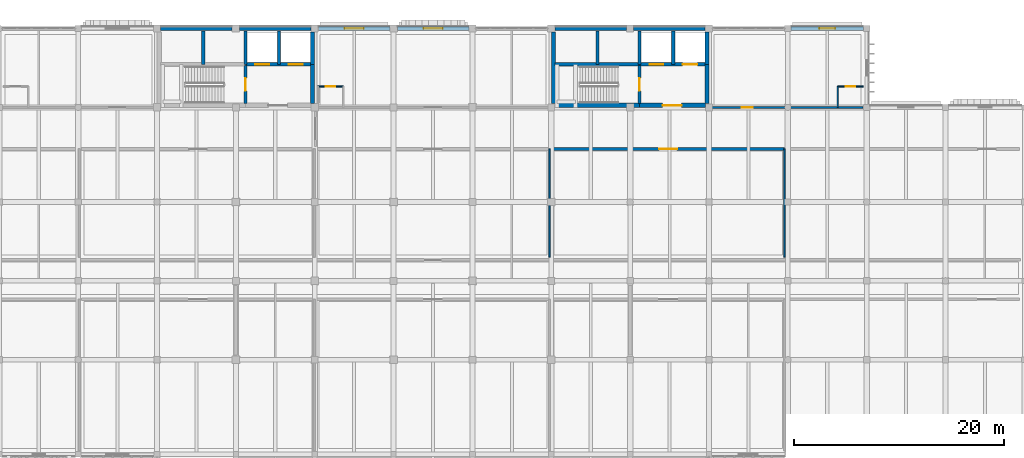
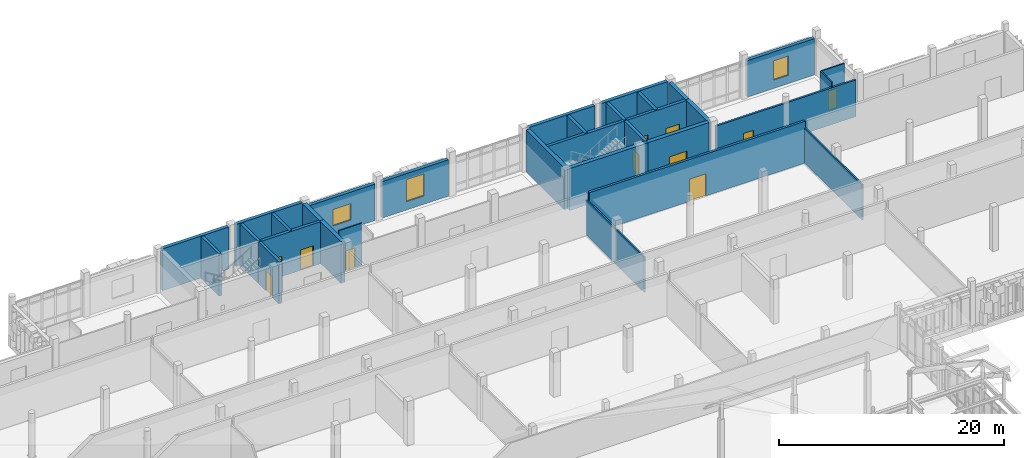
# One storey, part 106 of 131: 32 walls, 11 doors, 3 windows, 14 openings.
"""IFC4 building model written with IfcOpenShell, lengths in metres."""

from ifc_helpers import new_model, si_unit, direction, frame, frame_2d, origin, place, context, subcontext, project, spatial, rectangle, extrude, material, layer, layer_set, type_object, element, fill, save


model = new_model("IFC4")

# Units and contexts
model_context = context("Model", 3, precision=1e-05, world=origin(), true_north=direction((0.0, 1.0)))
body_context = subcontext(model_context, "Body", "Model", "MODEL_VIEW")
ifc_project = project(units=[si_unit("LENGTHUNIT", "METRE"), si_unit("AREAUNIT", "SQUARE_METRE"), si_unit("VOLUMEUNIT", "CUBIC_METRE"), si_unit("PLANEANGLEUNIT", "RADIAN"), si_unit("MASSUNIT", "GRAM", prefix="KILO")], contexts=[model_context])

# Site, building, storey
site_placement = place(None, origin())
site = spatial("IfcSite", under=ifc_project, at=site_placement, CompositionType="ELEMENT")
building_placement = place(site_placement, origin())
building = spatial("IfcBuilding", under=site, at=building_placement, Name="Dalvernix Boulevard General Hospital", CompositionType="ELEMENT")
storey_placement = place(building_placement, frame((0.0, 0.0, 9.300048828125)))
storey = spatial("IfcBuildingStorey", under=building, at=storey_placement, Name="L02", CompositionType="ELEMENT", Elevation=9.300048828125)

# Walls
ifc_material_1 = material(Name="Concrete C40/50", Category="concrete")
ifc_layer_1 = layer(ifc_material_1, 0.39990234375)
ifc_layer_set_1 = layer_set([ifc_layer_1], Name="Concrete C40/50 (WAL-CSW-01)")
wall_type_1 = type_object("IfcWallType", Name="WAL-CSW-01", PredefinedType="SHEAR", material=ifc_layer_set_1)
wall_1_placement = place(storey_placement, frame((74.800048828125, 109.85009765625, 0.0), z_axis=(0.0, 0.0, 1.0), x_axis=(0.0, 1.0, 0.0)))
element("IfcWall", 1, at=wall_1_placement, inside=storey, type_object=wall_type_1, Name="L02 C3 east lobby core wall", PredefinedType="SHEAR", context=body_context, shape_type="SweptSolid", body=[
    extrude(rectangle(XDim=3.75, YDim=0.39990234375, at=frame_2d((1.875, 0.0))), origin(), (0.0, 0.0, 1.0), 4.550048828125),
])
wall_2_placement = place(storey_placement, frame((74.800048828125, 113.60009765625, 0.0), z_axis=(0.0, 0.0, 1.0), x_axis=(0.0, 1.0, 0.0)))
element("IfcWall", 2, at=wall_2_placement, inside=storey, type_object=wall_type_1, Name="L02 C3 east shaft core wall", PredefinedType="SHEAR", context=body_context, shape_type="SweptSolid", body=[
    extrude(rectangle(XDim=3.0498046875, YDim=0.39990234375, at=frame_2d((1.52490234375, 0.0))), origin(), (0.0, 0.0, 1.0), 4.550048828125),
])
wall_3_placement = place(storey_placement, frame((97.85009765625, 109.699951171875, 0.0), z_axis=(0.0, 0.0, 1.0), x_axis=(1.0, 0.0, 0.0)))
element("IfcWall", 3, at=wall_3_placement, inside=storey, type_object=wall_type_1, Name="L02 C4 south stairwell wall", PredefinedType="SHEAR", context=body_context, shape_type="SweptSolid", body=[
    extrude(rectangle(XDim=8.0498046875, YDim=0.39990234375, at=frame_2d((4.02490234375, 0.0))), origin(), (0.0, 0.0, 1.0), 4.550048828125),
])

# Wall, opening, door
wall_4_placement = place(storey_placement, frame((105.89990234375, 109.699951171875, 0.0), z_axis=(0.0, 0.0, 1.0), x_axis=(1.0, 0.0, 0.0)))
wall_4 = element("IfcWall", 4, at=wall_4_placement, inside=storey, type_object=wall_type_1, Name="L02 C4 south firefighting lobby wall", PredefinedType="SHEAR", context=body_context, shape_type="SweptSolid", body=[
    extrude(rectangle(XDim=6.25, YDim=0.39990234375, at=frame_2d((3.125, 0.0))), origin(), (0.0, 0.0, 1.0), 4.550048828125),
])
opening_1_placement = place(wall_4_placement, frame((2.199951171875, 0.0, 0.0)))
opening_1 = element("IfcOpeningElement", 5, at=opening_1_placement, cuts=wall_4, Name="Opening FD-01", PredefinedType="OPENING", context=body_context, shape_type="SweptSolid", body=[
    extrude(rectangle(XDim=1.800048828125, YDim=2.25, at=frame_2d((0.89990234375, 1.125))), frame((0.0, 0.2099609375, 0.0), z_axis=(0.0, -1.0, 0.0), x_axis=(1.0, 0.0, 0.0)), (0.0, 0.0, 1.0), 0.419921875),
])
ifc_material_2 = material(Name="Hospital laminate acoustic timber and steel frame", Category="steel")
door_type_1 = type_object("IfcDoorType", Name="DR-FD-01", OperationType="DOUBLE_DOOR_SINGLE_SWING", PredefinedType="DOOR", material=ifc_material_2)
door_1_placement = place(opening_1_placement, origin())
door_1 = element("IfcDoor", 6, at=door_1_placement, inside=storey, type_object=door_type_1, Name="L02 C4 firefighting lobby door", OperationType="DOUBLE_DOOR_SINGLE_SWING", OverallHeight=2.25, OverallWidth=1.800048828125, PredefinedType="DOOR", context=body_context, shape_type="SweptSolid", body=[
    extrude(rectangle(XDim=1.800048828125, YDim=2.25, at=frame_2d((0.89990234375, 1.125))), frame((0.0, 0.02490234375, 0.0), z_axis=(0.0, -1.0, 0.0), x_axis=(1.0, 0.0, 0.0)), (0.0, 0.0, 1.0), 0.050048828125),
])
fill(opening_1, door_1)

# Walls
wall_5_placement = place(storey_placement, frame((97.699951171875, 109.85009765625, 0.0), z_axis=(0.0, 0.0, 1.0), x_axis=(0.0, 1.0, 0.0)))
element("IfcWall", 7, at=wall_5_placement, inside=storey, type_object=wall_type_1, Name="L02 C4 west core wall", PredefinedType="SHEAR", context=body_context, shape_type="SweptSolid", body=[
    extrude(rectangle(XDim=6.7998046875, YDim=0.39990234375, at=frame_2d((3.39990234375, 0.0))), origin(), (0.0, 0.0, 1.0), 4.550048828125),
])
wall_6_placement = place(storey_placement, frame((112.300048828125, 109.85009765625, 0.0), z_axis=(0.0, 0.0, 1.0), x_axis=(0.0, 1.0, 0.0)))
element("IfcWall", 8, at=wall_6_placement, inside=storey, type_object=wall_type_1, Name="L02 C4 east lobby core wall", PredefinedType="SHEAR", context=body_context, shape_type="SweptSolid", body=[
    extrude(rectangle(XDim=3.75, YDim=0.39990234375, at=frame_2d((1.875, 0.0))), origin(), (0.0, 0.0, 1.0), 4.550048828125),
])
wall_7_placement = place(storey_placement, frame((112.300048828125, 113.60009765625, 0.0), z_axis=(0.0, 0.0, 1.0), x_axis=(0.0, 1.0, 0.0)))
element("IfcWall", 9, at=wall_7_placement, inside=storey, type_object=wall_type_1, Name="L02 C4 east shaft core wall", PredefinedType="SHEAR", context=body_context, shape_type="SweptSolid", body=[
    extrude(rectangle(XDim=3.0498046875, YDim=0.39990234375, at=frame_2d((1.52490234375, 0.0))), origin(), (0.0, 0.0, 1.0), 4.550048828125),
])

# Wall, openings, doors
ifc_layer_2 = layer(ifc_material_1, 0.300048828125)
ifc_layer_set_2 = layer_set([ifc_layer_2], Name="Concrete C40/50 (WAL-CSW-02)")
wall_type_2 = type_object("IfcWallType", Name="WAL-CSW-02", PredefinedType="SHEAR", material=ifc_layer_set_2)
wall_8_placement = place(storey_placement, frame((68.39990234375, 113.60009765625, 0.0), z_axis=(0.0, 0.0, 1.0), x_axis=(1.0, 0.0, 0.0)))
wall_8 = element("IfcWall", 10, at=wall_8_placement, inside=storey, type_object=wall_type_2, Name="L02 C3 lift shaft front wall", PredefinedType="SHEAR", context=body_context, shape_type="SweptSolid", body=[
    extrude(rectangle(XDim=6.25, YDim=0.300048828125, at=frame_2d((3.125, 0.0))), origin(), (0.0, 0.0, 1.0), 4.550048828125),
])
opening_2_placement = place(wall_8_placement, frame((0.949951171875, 0.0, 0.0)))
opening_2 = element("IfcOpeningElement", 11, at=opening_2_placement, cuts=wall_8, Name="Opening LD-LF-01-L02", PredefinedType="OPENING", context=body_context, shape_type="SweptSolid", body=[
    extrude(rectangle(XDim=1.300048828125, YDim=2.199951171875, at=frame_2d((0.64990234375, 1.10009765625))), frame((0.0, 0.159912109375, 0.0), z_axis=(0.0, -1.0, 0.0), x_axis=(1.0, 0.0, 0.0)), (0.0, 0.0, 1.0), 0.320068359375),
])
opening_3_placement = place(wall_8_placement, frame((4.14990234375, 0.0, 0.0)))
opening_3 = element("IfcOpeningElement", 12, at=opening_3_placement, cuts=wall_8, Name="Opening LD-LF-02-L02", PredefinedType="OPENING", context=body_context, shape_type="SweptSolid", body=[
    extrude(rectangle(XDim=1.300048828125, YDim=2.199951171875, at=frame_2d((0.64990234375, 1.10009765625))), frame((0.0, 0.159912109375, 0.0), z_axis=(0.0, -1.0, 0.0), x_axis=(1.0, 0.0, 0.0)), (0.0, 0.0, 1.0), 0.320068359375),
])
ifc_material_3 = material(Name="Stainless-clad steel", Category="steel")
door_type_2 = type_object("IfcDoorType", Name="DR-LD-02", OperationType="DOUBLE_DOOR_SLIDING", PredefinedType="DOOR", material=ifc_material_3)
door_2_placement = place(opening_2_placement, origin())
door_2 = element("IfcDoor", 13, at=door_2_placement, inside=storey, type_object=door_type_2, Name="L02 Lift LF-01 sliding landing door", OperationType="DOUBLE_DOOR_SLIDING", OverallHeight=2.199951171875, OverallWidth=1.300048828125, PredefinedType="DOOR", context=body_context, shape_type="SweptSolid", body=[
    extrude(rectangle(XDim=1.300048828125, YDim=2.199951171875, at=frame_2d((0.64990234375, 1.10009765625))), frame((0.0, 0.02490234375, 0.0), z_axis=(0.0, -1.0, 0.0), x_axis=(1.0, 0.0, 0.0)), (0.0, 0.0, 1.0), 0.050048828125),
])
fill(opening_2, door_2)
door_3_placement = place(opening_3_placement, origin())
door_3 = element("IfcDoor", 14, at=door_3_placement, inside=storey, type_object=door_type_2, Name="L02 Lift LF-02 sliding landing door", OperationType="DOUBLE_DOOR_SLIDING", OverallHeight=2.199951171875, OverallWidth=1.300048828125, PredefinedType="DOOR", context=body_context, shape_type="SweptSolid", body=[
    extrude(rectangle(XDim=1.300048828125, YDim=2.199951171875, at=frame_2d((0.64990234375, 1.10009765625))), frame((0.0, 0.02490234375, 0.0), z_axis=(0.0, -1.0, 0.0), x_axis=(1.0, 0.0, 0.0)), (0.0, 0.0, 1.0), 0.050048828125),
])
fill(opening_3, door_3)

# Wall, opening, door
wall_9_placement = place(storey_placement, frame((68.39990234375, 113.5, 0.0), z_axis=(0.0, 0.0, 1.0), x_axis=(0.0, -1.0, 0.0)))
wall_9 = element("IfcWall", 15, at=wall_9_placement, inside=storey, type_object=wall_type_2, Name="L02 C3 stairwell fire wall", PredefinedType="SHEAR", context=body_context, shape_type="SweptSolid", body=[
    extrude(rectangle(XDim=3.64990234375, YDim=0.300048828125, at=frame_2d((1.824951171875, 0.0))), origin(), (0.0, 0.0, 1.0), 4.550048828125),
])
opening_4_placement = place(wall_9_placement, frame((1.219970703125, 0.0, 0.0)))
opening_4 = element("IfcOpeningElement", 16, at=opening_4_placement, cuts=wall_9, Name="Opening FD-02", PredefinedType="OPENING", context=body_context, shape_type="SweptSolid", body=[
    extrude(rectangle(XDim=1.199951171875, YDim=2.25, at=frame_2d((0.60009765625, 1.125))), frame((0.0, 0.159912109375, 0.0), z_axis=(0.0, -1.0, 0.0), x_axis=(1.0, 0.0, 0.0)), (0.0, 0.0, 1.0), 0.320068359375),
])
door_type_3 = type_object("IfcDoorType", Name="DR-FD-02", OperationType="NOTDEFINED", PredefinedType="DOOR", material=ifc_material_2)
door_4_placement = place(opening_4_placement, origin())
door_4 = element("IfcDoor", 17, at=door_4_placement, inside=storey, type_object=door_type_3, Name="L02 Stair ST-03 fire door", OperationType="SINGLE_SWING_RIGHT", OverallHeight=2.25, OverallWidth=1.199951171875, PredefinedType="DOOR", context=body_context, shape_type="SweptSolid", body=[
    extrude(rectangle(XDim=1.199951171875, YDim=2.25, at=frame_2d((0.60009765625, 1.125))), frame((0.0, 0.02490234375, 0.0), z_axis=(0.0, -1.0, 0.0), x_axis=(1.0, 0.0, 0.0)), (0.0, 0.0, 1.0), 0.050048828125),
])
fill(opening_4, door_4)

# Walls
for number, where, z_axis, x_axis, name in (
    (18, (64.39990234375, 113.60009765625, 0.0), (0.0, 0.0, 1.0), (0.0, 1.0, 0.0), "L02 C3 shaft divider R1"),
    (19, (68.39990234375, 113.60009765625, 0.0), (0.0, 0.0, 1.0), (0.0, 1.0, 0.0), "L02 C3 shaft divider R2"),
    (20, (71.60009765625, 113.60009765625, 0.0), (0.0, 0.0, 1.0), (0.0, 1.0, 0.0), "L02 C3 shaft divider L1"),
):
    element("IfcWall", number, at=place(storey_placement, frame(where, z_axis=z_axis, x_axis=x_axis)), inside=storey, type_object=wall_type_2, Name=name, PredefinedType="SHEAR", context=body_context, shape_type="SweptSolid", body=[
        extrude(rectangle(XDim=3.14990234375, YDim=0.300048828125, at=frame_2d((1.574951171875, 0.0))), origin(), (0.0, 0.0, 1.0), 4.550048828125),
    ])
wall_10_placement = place(storey_placement, frame((97.85009765625, 113.60009765625, 0.0), z_axis=(0.0, 0.0, 1.0), x_axis=(1.0, 0.0, 0.0)))
element("IfcWall", 21, at=wall_10_placement, inside=storey, type_object=wall_type_2, Name="L02 C4 riser spine wall", PredefinedType="SHEAR", context=body_context, shape_type="SweptSolid", body=[
    extrude(rectangle(XDim=8.0498046875, YDim=0.300048828125, at=frame_2d((4.02490234375, 0.0))), origin(), (0.0, 0.0, 1.0), 4.550048828125),
])

# Wall, openings, doors
wall_11_placement = place(storey_placement, frame((105.89990234375, 113.60009765625, 0.0), z_axis=(0.0, 0.0, 1.0), x_axis=(1.0, 0.0, 0.0)))
wall_11 = element("IfcWall", 22, at=wall_11_placement, inside=storey, type_object=wall_type_2, Name="L02 C4 lift shaft front wall", PredefinedType="SHEAR", context=body_context, shape_type="SweptSolid", body=[
    extrude(rectangle(XDim=6.25, YDim=0.300048828125, at=frame_2d((3.125, 0.0))), origin(), (0.0, 0.0, 1.0), 4.550048828125),
])
opening_5_placement = place(wall_11_placement, frame((0.949951171875, 0.0, 0.0)))
opening_5 = element("IfcOpeningElement", 23, at=opening_5_placement, cuts=wall_11, Name="Opening LD-LF-03-L02", PredefinedType="OPENING", context=body_context, shape_type="SweptSolid", body=[
    extrude(rectangle(XDim=1.300048828125, YDim=2.199951171875, at=frame_2d((0.64990234375, 1.10009765625))), frame((0.0, 0.159912109375, 0.0), z_axis=(0.0, -1.0, 0.0), x_axis=(1.0, 0.0, 0.0)), (0.0, 0.0, 1.0), 0.320068359375),
])
opening_6_placement = place(wall_11_placement, frame((4.10009765625, 0.0, 0.0)))
opening_6 = element("IfcOpeningElement", 24, at=opening_6_placement, cuts=wall_11, Name="Opening LD-GL-01-L02", PredefinedType="OPENING", context=body_context, shape_type="SweptSolid", body=[
    extrude(rectangle(XDim=1.39990234375, YDim=2.25, at=frame_2d((0.699951171875, 1.125))), frame((0.0, 0.159912109375, 0.0), z_axis=(0.0, -1.0, 0.0), x_axis=(1.0, 0.0, 0.0)), (0.0, 0.0, 1.0), 0.320068359375),
])
door_type_4 = type_object("IfcDoorType", Name="DR-LD-01", OperationType="DOUBLE_DOOR_SLIDING", PredefinedType="DOOR", material=ifc_material_3)
door_5_placement = place(opening_6_placement, origin())
door_5 = element("IfcDoor", 25, at=door_5_placement, inside=storey, type_object=door_type_4, Name="L02 Lift GL-01 sliding landing door", OperationType="DOUBLE_DOOR_SLIDING", OverallHeight=2.25, OverallWidth=1.39990234375, PredefinedType="DOOR", context=body_context, shape_type="SweptSolid", body=[
    extrude(rectangle(XDim=1.39990234375, YDim=2.25, at=frame_2d((0.699951171875, 1.125))), frame((0.0, 0.02490234375, 0.0), z_axis=(0.0, -1.0, 0.0), x_axis=(1.0, 0.0, 0.0)), (0.0, 0.0, 1.0), 0.050048828125),
])
fill(opening_6, door_5)
door_6_placement = place(opening_5_placement, origin())
door_6 = element("IfcDoor", 26, at=door_6_placement, inside=storey, type_object=door_type_2, Name="L02 Lift LF-03 sliding landing door", OperationType="DOUBLE_DOOR_SLIDING", OverallHeight=2.199951171875, OverallWidth=1.300048828125, PredefinedType="DOOR", context=body_context, shape_type="SweptSolid", body=[
    extrude(rectangle(XDim=1.300048828125, YDim=2.199951171875, at=frame_2d((0.64990234375, 1.10009765625))), frame((0.0, 0.02490234375, 0.0), z_axis=(0.0, -1.0, 0.0), x_axis=(1.0, 0.0, 0.0)), (0.0, 0.0, 1.0), 0.050048828125),
])
fill(opening_5, door_6)

# Wall, opening, door
wall_12_placement = place(storey_placement, frame((105.89990234375, 113.5, 0.0), z_axis=(0.0, 0.0, 1.0), x_axis=(0.0, -1.0, 0.0)))
wall_12 = element("IfcWall", 27, at=wall_12_placement, inside=storey, type_object=wall_type_2, Name="L02 C4 stairwell fire wall", PredefinedType="SHEAR", context=body_context, shape_type="SweptSolid", body=[
    extrude(rectangle(XDim=3.64990234375, YDim=0.300048828125, at=frame_2d((1.824951171875, 0.0))), origin(), (0.0, 0.0, 1.0), 4.550048828125),
])
opening_7_placement = place(wall_12_placement, frame((1.219970703125, 0.0, 0.0)))
opening_7 = element("IfcOpeningElement", 28, at=opening_7_placement, cuts=wall_12, Name="Opening FD-02", PredefinedType="OPENING", context=body_context, shape_type="SweptSolid", body=[
    extrude(rectangle(XDim=1.199951171875, YDim=2.25, at=frame_2d((0.60009765625, 1.125))), frame((0.0, 0.159912109375, 0.0), z_axis=(0.0, -1.0, 0.0), x_axis=(1.0, 0.0, 0.0)), (0.0, 0.0, 1.0), 0.320068359375),
])
door_7_placement = place(opening_7_placement, origin())
door_7 = element("IfcDoor", 29, at=door_7_placement, inside=storey, type_object=door_type_3, Name="L02 Stair ST-04 fire door", OperationType="SINGLE_SWING_RIGHT", OverallHeight=2.25, OverallWidth=1.199951171875, PredefinedType="DOOR", context=body_context, shape_type="SweptSolid", body=[
    extrude(rectangle(XDim=1.199951171875, YDim=2.25, at=frame_2d((0.60009765625, 1.125))), frame((0.0, 0.02490234375, 0.0), z_axis=(0.0, -1.0, 0.0), x_axis=(1.0, 0.0, 0.0)), (0.0, 0.0, 1.0), 0.050048828125),
])
fill(opening_7, door_7)

# Walls
for number, where, z_axis, x_axis, name in (
    (30, (101.89990234375, 113.60009765625, 0.0), (0.0, 0.0, 1.0), (0.0, 1.0, 0.0), "L02 C4 shaft divider R1"),
    (31, (105.89990234375, 113.60009765625, 0.0), (0.0, 0.0, 1.0), (0.0, 1.0, 0.0), "L02 C4 shaft divider R2"),
    (32, (109.10009765625, 113.60009765625, 0.0), (0.0, 0.0, 1.0), (0.0, 1.0, 0.0), "L02 C4 shaft divider L1"),
):
    element("IfcWall", number, at=place(storey_placement, frame(where, z_axis=z_axis, x_axis=x_axis)), inside=storey, type_object=wall_type_2, Name=name, PredefinedType="SHEAR", context=body_context, shape_type="SweptSolid", body=[
        extrude(rectangle(XDim=3.14990234375, YDim=0.300048828125, at=frame_2d((1.574951171875, 0.0))), origin(), (0.0, 0.0, 1.0), 4.550048828125),
    ])
ifc_layer_3 = layer(ifc_material_1, 0.35009765625)
ifc_layer_set_3 = layer_set([ifc_layer_3], Name="Concrete C40/50 (WAL-ESW-01)")
wall_type_3 = type_object("IfcWallType", Name="WAL-ESW-01", PredefinedType="SHEAR", material=ifc_layer_set_3)
for number, where, z_axis, x_axis, name in (
    (33, (60.3349609375, 117.0, 0.0), (0.0, 0.0, 1.0), (1.0, 0.0, 0.0), "L02 core perimeter shear wall N 8-15"),
    (34, (67.860107421875, 117.0, 0.0), (0.0, 0.0, 1.0), (1.0, 0.0, 0.0), "L02 core perimeter shear wall N 9-15"),
    (35, (97.860107421875, 117.0, 0.0), (0.0, 0.0, 1.0), (1.0, 0.0, 0.0), "L02 core perimeter shear wall N 13-15"),
    (36, (105.3349609375, 117.0, 0.0), (0.0, 0.0, 1.0), (1.0, 0.0, 0.0), "L02 core perimeter shear wall N 14-15"),
):
    element("IfcWall", number, at=place(storey_placement, frame(where, z_axis=z_axis, x_axis=x_axis)), inside=storey, type_object=wall_type_3, Name=name, PredefinedType="SHEAR", context=body_context, shape_type="SweptSolid", body=[
        extrude(rectangle(XDim=6.804931640625, YDim=0.35009765625, at=frame_2d((3.40234375, 0.0))), origin(), (0.0, 0.0, 1.0), 4.550048828125),
    ])

# Wall, opening, window
ifc_material_4 = material(Name="Pressed Catalan clay brick and insulated concrete cavity wall C35/45", Category="masonry")
ifc_layer_4 = layer(ifc_material_4, 0.35009765625)
ifc_layer_set_4 = layer_set([ifc_layer_4], Name="Pressed Catalan clay brick and insulated concrete cavity wall C35/45 (WAL-EW-01)")
wall_type_4 = type_object("IfcWallType", Name="WAL-EW-01", PredefinedType="STANDARD", material=ifc_layer_set_4)
wall_13_placement = place(storey_placement, frame((75.3349609375, 117.0, 0.0), z_axis=(0.0, 0.0, 1.0), x_axis=(1.0, 0.0, 0.0)))
wall_13 = element("IfcWall", 37, at=wall_13_placement, inside=storey, type_object=wall_type_4, Name="L02 Catalan brick external wall N 10-15", PredefinedType="STANDARD", context=body_context, shape_type="SweptSolid", body=[
    extrude(rectangle(XDim=6.804931640625, YDim=0.35009765625, at=frame_2d((3.40234375, 0.0))), origin(), (0.0, 0.0, 1.0), 3.949951171875),
])
opening_8_placement = place(wall_13_placement, frame((2.50244140625, 0.0, 0.89990234375)))
opening_8 = element("IfcOpeningElement", 38, at=opening_8_placement, cuts=wall_13, Name="Opening WN-16", PredefinedType="OPENING", context=body_context, shape_type="SweptSolid", body=[
    extrude(rectangle(XDim=1.800048828125, YDim=1.800048828125, at=frame_2d((0.89990234375, 0.89990234375))), frame((0.0, 0.18505859375, 0.0), z_axis=(0.0, -1.0, 0.0), x_axis=(1.0, 0.0, 0.0)), (0.0, 0.0, 1.0), 0.3701171875),
])
ifc_material_5 = material(Name="Thermally broken aluminium frame with solar-control double glazing", Category="aluminium")
window_type_1 = type_object("IfcWindowType", Name="WIN-WN-16", PartitioningType="SINGLE_PANEL", PredefinedType="WINDOW", material=ifc_material_5)
window_1_placement = place(opening_8_placement, origin())
window_1 = element("IfcWindow", 39, at=window_1_placement, inside=storey, type_object=window_type_1, Name="L02 clinical window WN-16 N 10-15", OverallHeight=1.800048828125, OverallWidth=1.800048828125, PartitioningType="SINGLE_PANEL", PredefinedType="WINDOW", context=body_context, shape_type="SweptSolid", body=[
    extrude(rectangle(XDim=1.800048828125, YDim=1.800048828125, at=frame_2d((0.89990234375, 0.89990234375))), frame((0.0, 0.030029296875, 0.0), z_axis=(0.0, -1.0, 0.0), x_axis=(1.0, 0.0, 0.0)), (0.0, 0.0, 1.0), 0.06005859375),
])
fill(opening_8, window_1)

wall_14_placement = place(storey_placement, frame((82.860107421875, 117.0, 0.0), z_axis=(0.0, 0.0, 1.0), x_axis=(1.0, 0.0, 0.0)))
wall_14 = element("IfcWall", 40, at=wall_14_placement, inside=storey, type_object=wall_type_4, Name="L02 Catalan brick external wall N 11-15", PredefinedType="STANDARD", context=body_context, shape_type="SweptSolid", body=[
    extrude(rectangle(XDim=6.804931640625, YDim=0.35009765625, at=frame_2d((3.40234375, 0.0))), origin(), (0.0, 0.0, 1.0), 3.949951171875),
])
opening_9_placement = place(wall_14_placement, frame((2.50244140625, 0.0, 0.89990234375)))
opening_9 = element("IfcOpeningElement", 41, at=opening_9_placement, cuts=wall_14, Name="Opening WN-01", PredefinedType="OPENING", context=body_context, shape_type="SweptSolid", body=[
    extrude(rectangle(XDim=1.800048828125, YDim=2.39990234375, at=frame_2d((0.89990234375, 1.199951171875))), frame((0.0, 0.18505859375, 0.0), z_axis=(0.0, -1.0, 0.0), x_axis=(1.0, 0.0, 0.0)), (0.0, 0.0, 1.0), 0.3701171875),
])
window_type_2 = type_object("IfcWindowType", Name="WIN-WN-01", PartitioningType="SINGLE_PANEL", PredefinedType="WINDOW", material=ifc_material_5)
window_2_placement = place(opening_9_placement, origin())
window_2 = element("IfcWindow", 42, at=window_2_placement, inside=storey, type_object=window_type_2, Name="L02 clinical window WN-01 N 11-15", OverallHeight=2.39990234375, OverallWidth=1.800048828125, PartitioningType="SINGLE_PANEL", PredefinedType="WINDOW", context=body_context, shape_type="SweptSolid", body=[
    extrude(rectangle(XDim=1.800048828125, YDim=2.39990234375, at=frame_2d((0.89990234375, 1.199951171875))), frame((0.0, 0.030029296875, 0.0), z_axis=(0.0, -1.0, 0.0), x_axis=(1.0, 0.0, 0.0)), (0.0, 0.0, 1.0), 0.06005859375),
])
fill(opening_9, window_2)

wall_15_placement = place(storey_placement, frame((120.31005859375, 117.0, 0.0), z_axis=(0.0, 0.0, 1.0), x_axis=(1.0, 0.0, 0.0)))
wall_15 = element("IfcWall", 43, at=wall_15_placement, inside=storey, type_object=wall_type_4, Name="L02 Catalan brick external wall N 16-15", PredefinedType="STANDARD", context=body_context, shape_type="SweptSolid", body=[
    extrude(rectangle(XDim=6.8798828125, YDim=0.35009765625, at=frame_2d((3.43994140625, 0.0))), origin(), (0.0, 0.0, 1.0), 3.949951171875),
])
opening_10_placement = place(wall_15_placement, frame((2.68994140625, 0.0, 0.89990234375)))
opening_10 = element("IfcOpeningElement", 44, at=opening_10_placement, cuts=wall_15, Name="Opening WN-06", PredefinedType="OPENING", context=body_context, shape_type="SweptSolid", body=[
    extrude(rectangle(XDim=1.5, YDim=2.10009765625, at=frame_2d((0.75, 1.050048828125))), frame((0.0, 0.18505859375, 0.0), z_axis=(0.0, -1.0, 0.0), x_axis=(1.0, 0.0, 0.0)), (0.0, 0.0, 1.0), 0.3701171875),
])
window_type_3 = type_object("IfcWindowType", Name="WIN-WN-06", PartitioningType="SINGLE_PANEL", PredefinedType="WINDOW", material=ifc_material_5)
window_3_placement = place(opening_10_placement, origin())
window_3 = element("IfcWindow", 45, at=window_3_placement, inside=storey, type_object=window_type_3, Name="L02 clinical window WN-06 N 16-15", OverallHeight=2.10009765625, OverallWidth=1.5, PartitioningType="SINGLE_PANEL", PredefinedType="WINDOW", context=body_context, shape_type="SweptSolid", body=[
    extrude(rectangle(XDim=1.5, YDim=2.10009765625, at=frame_2d((0.75, 1.050048828125))), frame((0.0, 0.030029296875, 0.0), z_axis=(0.0, -1.0, 0.0), x_axis=(1.0, 0.0, 0.0)), (0.0, 0.0, 1.0), 0.06005859375),
])
fill(opening_10, window_3)

# Wall, opening, door
ifc_material_6 = material(Name="Acoustic fire-rated masonry clinical wall", Category="masonry")
ifc_layer_5 = layer(ifc_material_6, 0.25)
ifc_layer_set_5 = layer_set([ifc_layer_5], Name="Acoustic fire-rated masonry clinical wall (WAL-IW-01)")
wall_type_5 = type_object("IfcWallType", Name="WAL-IW-01", PredefinedType="STANDARD", material=ifc_layer_set_5)
wall_16_placement = place(storey_placement, frame((119.669921875, 105.550048828125, 0.0), z_axis=(0.0, 0.0, 1.0), x_axis=(-1.0, 0.0, 0.0)))
wall_16 = element("IfcWall", 46, at=wall_16_placement, inside=storey, type_object=wall_type_5, Name="L02 Operating Theatre 04 corridor wall", PredefinedType="STANDARD", context=body_context, shape_type="SweptSolid", body=[
    extrude(rectangle(XDim=22.119873046875, YDim=0.25, at=frame_2d((11.06005859375, 0.0))), origin(), (0.0, 0.0, 1.0), 4.534912109375),
])
opening_11_placement = place(wall_16_placement, frame((10.2099609375, 0.0, 0.0)))
opening_11 = element("IfcOpeningElement", 47, at=opening_11_placement, cuts=wall_16, Name="Opening ID-09", PredefinedType="OPENING", context=body_context, shape_type="SweptSolid", body=[
    extrude(rectangle(XDim=1.699951171875, YDim=2.39990234375, at=frame_2d((0.85009765625, 1.199951171875))), frame((0.0, 0.135009765625, 0.0), z_axis=(0.0, -1.0, 0.0), x_axis=(1.0, 0.0, 0.0)), (0.0, 0.0, 1.0), 0.27001953125),
])
door_type_5 = type_object("IfcDoorType", Name="DR-ID-09", OperationType="DOUBLE_DOOR_SLIDING", PredefinedType="DOOR", material=ifc_material_3)
door_8_placement = place(opening_11_placement, origin())
door_8 = element("IfcDoor", 48, at=door_8_placement, inside=storey, type_object=door_type_5, Name="L02 Operating Theatre 04 door", OperationType="DOUBLE_DOOR_SLIDING", OverallHeight=2.39990234375, OverallWidth=1.699951171875, PredefinedType="DOOR", context=body_context, shape_type="SweptSolid", body=[
    extrude(rectangle(XDim=1.699951171875, YDim=2.39990234375, at=frame_2d((0.85009765625, 1.199951171875))), frame((0.0, 0.02490234375, 0.0), z_axis=(0.0, -1.0, 0.0), x_axis=(1.0, 0.0, 0.0)), (0.0, 0.0, 1.0), 0.050048828125),
])
fill(opening_11, door_8)

ifc_material_7 = material(Name="Fire-compartment corridor masonry wall", Category="masonry")
ifc_layer_6 = layer(ifc_material_7, 0.199951171875)
ifc_layer_set_6 = layer_set([ifc_layer_6], Name="Fire-compartment corridor masonry wall (WAL-IW-02)")
wall_type_6 = type_object("IfcWallType", Name="WAL-IW-02", PredefinedType="STANDARD", material=ifc_layer_set_6)
wall_17_placement = place(storey_placement, frame((112.800048828125, 109.5, 0.0), z_axis=(0.0, 0.0, 1.0), x_axis=(1.0, 0.0, 0.0)))
wall_17 = element("IfcWall", 49, at=wall_17_placement, inside=storey, type_object=wall_type_6, Name="L02 High Dependency Surgical Recovery Unit corridor wall", PredefinedType="STANDARD", context=body_context, shape_type="SweptSolid", body=[
    extrude(rectangle(XDim=14.349853515625, YDim=0.199951171875, at=frame_2d((7.1748046875, 0.0))), origin(), (0.0, 0.0, 1.0), 3.98486328125),
])
opening_12_placement = place(wall_17_placement, frame((2.81005859375, 0.0, 0.0)))
opening_12 = element("IfcOpeningElement", 50, at=opening_12_placement, cuts=wall_17, Name="Opening ID-07", PredefinedType="OPENING", context=body_context, shape_type="SweptSolid", body=[
    extrude(rectangle(XDim=1.050048828125, YDim=2.199951171875, at=frame_2d((0.52490234375, 1.10009765625))), frame((0.0, 0.10986328125, 0.0), z_axis=(0.0, -1.0, 0.0), x_axis=(1.0, 0.0, 0.0)), (0.0, 0.0, 1.0), 0.219970703125),
])
door_type_6 = type_object("IfcDoorType", Name="DR-ID-07", OperationType="NOTDEFINED", PredefinedType="DOOR", material=ifc_material_2)
door_9_placement = place(opening_12_placement, origin())
door_9 = element("IfcDoor", 51, at=door_9_placement, inside=storey, type_object=door_type_6, Name="L02 High Dependency Surgical Recovery Unit door", OperationType="SINGLE_SWING_RIGHT", OverallHeight=2.199951171875, OverallWidth=1.050048828125, PredefinedType="DOOR", context=body_context, shape_type="SweptSolid", body=[
    extrude(rectangle(XDim=1.050048828125, YDim=2.199951171875, at=frame_2d((0.52490234375, 1.10009765625))), frame((0.0, 0.02490234375, 0.0), z_axis=(0.0, -1.0, 0.0), x_axis=(1.0, 0.0, 0.0)), (0.0, 0.0, 1.0), 0.050048828125),
])
fill(opening_12, door_9)

# Walls
ifc_material_8 = material(Name="Acoustic double-stud gypsum inpatient partition")
ifc_layer_7 = layer(ifc_material_8, 0.14990234375)
ifc_layer_set_7 = layer_set([ifc_layer_7], Name="Acoustic double-stud gypsum inpatient partition (WAL-IW-04)")
wall_type_7 = type_object("IfcWallType", Name="WAL-IW-04", PredefinedType="PARTITIONING", material=ifc_layer_set_7)
for number, where, z_axis, x_axis, name in (
    (52, (97.31005859375, 95.25, 0.0), (0.0, 0.0, 1.0), (0.0, 1.0, 0.0), "L02 Operating Theatre 03 partition"),
    (53, (119.669921875, 95.25, 0.0), (0.0, 0.0, 1.0), (0.0, 1.0, 0.0), "L02 Operating Theatre 04 partition"),
):
    element("IfcWall", number, at=place(storey_placement, frame(where, z_axis=z_axis, x_axis=x_axis)), inside=storey, type_object=wall_type_7, Name=name, PredefinedType="PARTITIONING", context=body_context, shape_type="SweptSolid", body=[
        extrude(rectangle(XDim=10.300048828125, YDim=0.14990234375, at=frame_2d((5.14990234375, 0.0))), origin(), (0.0, 0.0, 1.0), 3.8349609375),
    ])

# Wall, opening, door
ifc_material_9 = material(Name="Moisture-resistant en-suite bathroom partition")
ifc_layer_8 = layer(ifc_material_9, 0.1201171875)
ifc_layer_set_8 = layer_set([ifc_layer_8], Name="Moisture-resistant en-suite bathroom partition (WAL-IW-05)")
wall_type_8 = type_object("IfcWallType", Name="WAL-IW-05", PredefinedType="PARTITIONING", material=ifc_layer_set_8)
wall_18_placement = place(storey_placement, frame((77.699951171875, 111.5, 0.0), z_axis=(0.0, 0.0, 1.0), x_axis=(-1.0, 0.0, 0.0)))
wall_18 = element("IfcWall", 54, at=wall_18_placement, inside=storey, type_object=wall_type_8, Name="L02 en-suite bathroom door wall", PredefinedType="PARTITIONING", context=body_context, shape_type="SweptSolid", body=[
    extrude(rectangle(XDim=2.39990234375, YDim=0.1201171875, at=frame_2d((1.199951171875, 0.0))), origin(), (0.0, 0.0, 1.0), 4.534912109375),
])
opening_13_placement = place(wall_18_placement, frame((0.75, 0.0, 0.0)))
opening_13 = element("IfcOpeningElement", 55, at=opening_13_placement, cuts=wall_18, Name="Opening ID-05", PredefinedType="OPENING", context=body_context, shape_type="SweptSolid", body=[
    extrude(rectangle(XDim=0.89990234375, YDim=2.10009765625, at=frame_2d((0.449951171875, 1.050048828125))), frame((0.0, 0.070068359375, 0.0), z_axis=(0.0, -1.0, 0.0), x_axis=(1.0, 0.0, 0.0)), (0.0, 0.0, 1.0), 0.14013671875),
])
door_type_7 = type_object("IfcDoorType", Name="DR-ID-05", OperationType="NOTDEFINED", PredefinedType="DOOR", material=ifc_material_2)
door_10_placement = place(opening_13_placement, origin())
door_10 = element("IfcDoor", 56, at=door_10_placement, inside=storey, type_object=door_type_7, Name="L02 L02-ICU-02 en-suite bathroom door", OperationType="SINGLE_SWING_LEFT", OverallHeight=2.10009765625, OverallWidth=0.89990234375, PredefinedType="DOOR", context=body_context, shape_type="SweptSolid", body=[
    extrude(rectangle(XDim=0.89990234375, YDim=2.10009765625, at=frame_2d((0.449951171875, 1.050048828125))), frame((0.0, 0.02490234375, 0.0), z_axis=(0.0, -1.0, 0.0), x_axis=(1.0, 0.0, 0.0)), (0.0, 0.0, 1.0), 0.050048828125),
])
fill(opening_13, door_10)

wall_19_placement = place(storey_placement, frame((127.14990234375, 111.5, 0.0), z_axis=(0.0, 0.0, 1.0), x_axis=(-1.0, 0.0, 0.0)))
wall_19 = element("IfcWall", 57, at=wall_19_placement, inside=storey, type_object=wall_type_8, Name="L02 en-suite bathroom door wall", PredefinedType="PARTITIONING", context=body_context, shape_type="SweptSolid", body=[
    extrude(rectangle(XDim=2.39990234375, YDim=0.1201171875, at=frame_2d((1.199951171875, 0.0))), origin(), (0.0, 0.0, 1.0), 4.534912109375),
])
opening_14_placement = place(wall_19_placement, frame((0.75, 0.0, 0.0)))
opening_14 = element("IfcOpeningElement", 58, at=opening_14_placement, cuts=wall_19, Name="Opening ID-05", PredefinedType="OPENING", context=body_context, shape_type="SweptSolid", body=[
    extrude(rectangle(XDim=0.89990234375, YDim=2.10009765625, at=frame_2d((0.449951171875, 1.050048828125))), frame((0.0, 0.070068359375, 0.0), z_axis=(0.0, -1.0, 0.0), x_axis=(1.0, 0.0, 0.0)), (0.0, 0.0, 1.0), 0.14013671875),
])
door_11_placement = place(opening_14_placement, origin())
door_11 = element("IfcDoor", 59, at=door_11_placement, inside=storey, type_object=door_type_7, Name="L02 L02-ICU-03 en-suite bathroom door", OperationType="SINGLE_SWING_LEFT", OverallHeight=2.10009765625, OverallWidth=0.89990234375, PredefinedType="DOOR", context=body_context, shape_type="SweptSolid", body=[
    extrude(rectangle(XDim=0.89990234375, YDim=2.10009765625, at=frame_2d((0.449951171875, 1.050048828125))), frame((0.0, 0.02490234375, 0.0), z_axis=(0.0, -1.0, 0.0), x_axis=(1.0, 0.0, 0.0)), (0.0, 0.0, 1.0), 0.050048828125),
])
fill(opening_14, door_11)

# Wall
wall_20_placement = place(storey_placement, frame((124.75, 109.5, 0.0), z_axis=(0.0, 0.0, 1.0), x_axis=(0.0, 1.0, 0.0)))
element("IfcWall", 60, at=wall_20_placement, inside=storey, type_object=wall_type_8, Name="L02 en-suite bathroom side wall", PredefinedType="PARTITIONING", context=body_context, shape_type="SweptSolid", body=[
    extrude(rectangle(XDim=2.0, YDim=0.1201171875, at=frame_2d((1.0, 0.0))), origin(), (0.0, 0.0, 1.0), 4.534912109375),
])

save(model, "model.ifc")
